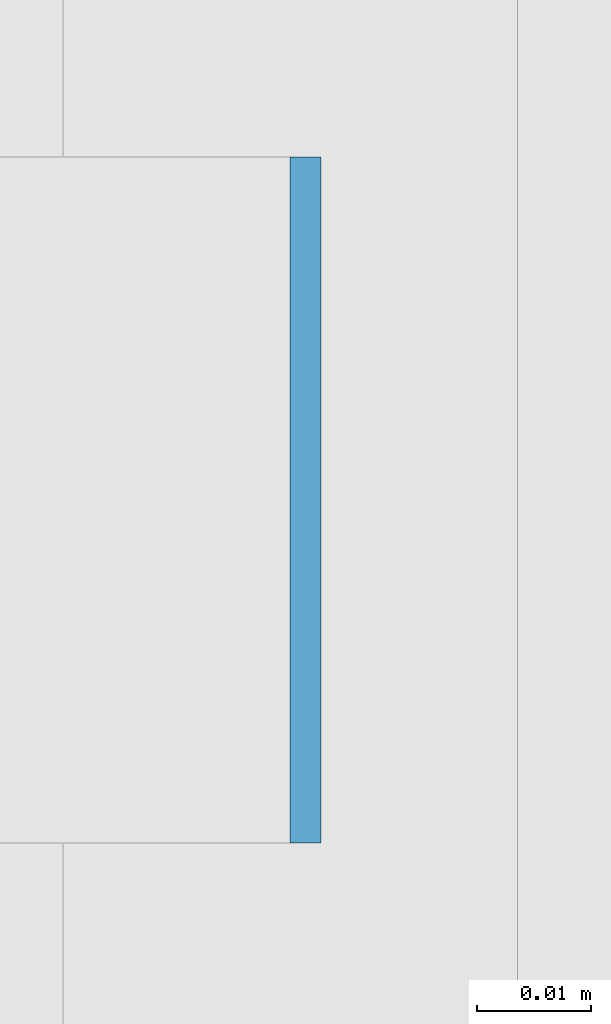
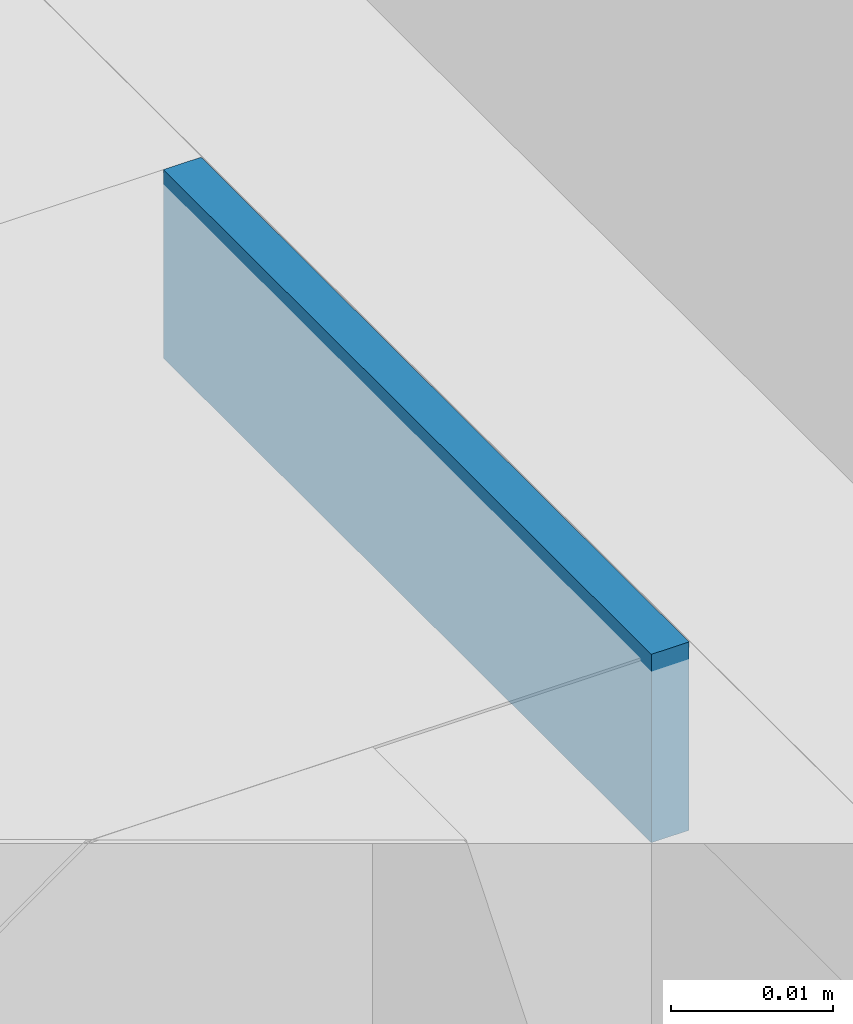
# One storey, part 351 of 646: 1 discrete accessory.
"""IFC4 building model written with IfcOpenShell, lengths in metres."""

from ifc_helpers import new_model, si_unit, direction, frame, origin, origin_2d, place, context, subcontext, project, spatial, rectangle, extrude, material, type_object, element, save


model = new_model("IFC4")

# Units and contexts
model_context = context("Model", 3, precision=1e-05, world=origin(), true_north=direction((0.0, 1.0)))
body_context = subcontext(model_context, "Body", "Model", "MODEL_VIEW")
ifc_project = project(units=[si_unit("LENGTHUNIT", "METRE"), si_unit("AREAUNIT", "SQUARE_METRE"), si_unit("VOLUMEUNIT", "CUBIC_METRE"), si_unit("PLANEANGLEUNIT", "RADIAN"), si_unit("MASSUNIT", "GRAM", prefix="KILO")], contexts=[model_context])

# Site, building, storey
site_placement = place(None, origin())
site = spatial("IfcSite", under=ifc_project, at=site_placement, CompositionType="ELEMENT")
building_placement = place(site_placement, origin())
building = spatial("IfcBuilding", under=site, at=building_placement, Name="Silverbay Arena", CompositionType="ELEMENT")
storey_placement = place(building_placement, frame((0.0, 0.0, 33.5)))
storey = spatial("IfcBuildingStorey", under=building, at=storey_placement, Name="L05", CompositionType="ELEMENT", Elevation=33.5)

# Discrete accessory
ifc_material = material(Name="Steel S355", Category="steel")
discrete_accessory_type = type_object("IfcDiscreteAccessoryType", Name="Steel bracket plate", PredefinedType="BRACKET", material=ifc_material)
discrete_accessory_placement = place(storey_placement, frame((53.871337890625, 91.28564453125, 12.98583984375), z_axis=(0.0, 0.0, 1.0), x_axis=(1.0, 0.0, 0.0)))
element("IfcDiscreteAccessory", 1, at=discrete_accessory_placement, inside=storey, type_object=discrete_accessory_type, Name="Curtain wall packing plate", PredefinedType="BRACKET", context=body_context, shape_type="SweptSolid", body=[
    extrude(rectangle(XDim=0.002685546875, YDim=0.06005859375, at=origin_2d()), origin(), (0.0, 0.0, 1.0), 0.01416015625),
])

save(model, "model.ifc")
